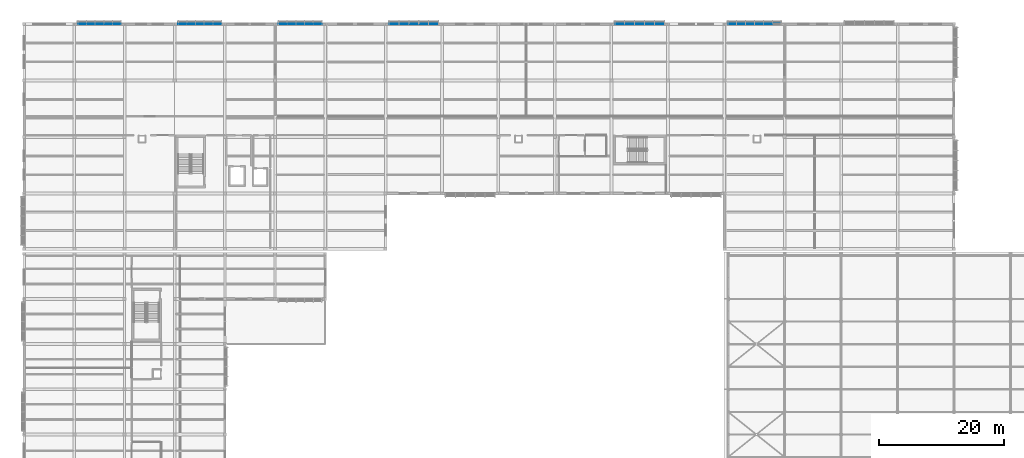
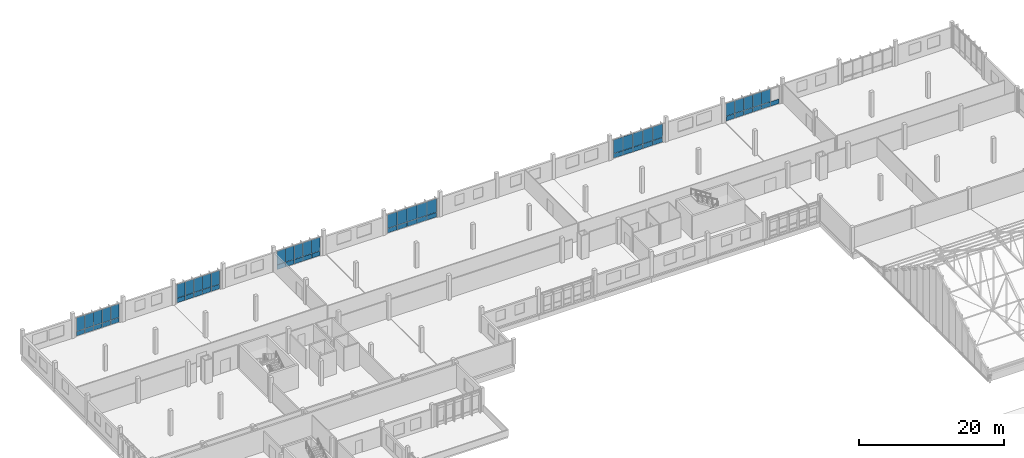
# One storey, part 156 of 182: 61 plates, 6 elements without a shape of their own.
"""IFC4 building model written with IfcOpenShell, lengths in metres."""

from ifc_helpers import new_model, si_unit, direction, frame, origin, origin_2d, place, context, subcontext, project, spatial, rectangle, extrude, material, layer, layer_set, type_object, element, aggregate, save


model = new_model("IFC4")

# Units and contexts
model_context = context("Model", 3, precision=1e-05, world=origin(), true_north=direction((0.0, 1.0)))
body_context = subcontext(model_context, "Body", "Model", "MODEL_VIEW")
ifc_project = project(units=[si_unit("LENGTHUNIT", "METRE"), si_unit("AREAUNIT", "SQUARE_METRE"), si_unit("VOLUMEUNIT", "CUBIC_METRE"), si_unit("PLANEANGLEUNIT", "RADIAN"), si_unit("MASSUNIT", "GRAM", prefix="KILO")], contexts=[model_context])

# Site, building, storey
site_placement = place(None, origin())
site = spatial("IfcSite", under=ifc_project, at=site_placement, CompositionType="ELEMENT")
building_placement = place(site_placement, origin())
building = spatial("IfcBuilding", under=site, at=building_placement, Name="Chiffa Square Polytechnic", CompositionType="ELEMENT")
storey_placement = place(building_placement, frame((0.0, 0.0, 9.60009765625)))
storey = spatial("IfcBuildingStorey", under=building, at=storey_placement, Name="L02", CompositionType="ELEMENT", Elevation=9.60009765625)

# Curtain wall, plates
ifc_material_1 = material(Name="Aluminium EN AW-6060 T66 and glulam shading", Category="wood")
curtain_wall_type_1 = type_object("IfcCurtainWallType", Name="CW-VERT-480X380", PredefinedType="USERDEFINED", material=ifc_material_1)
curtain_wall_1_placement = place(storey_placement, origin())
curtain_wall_1 = element("IfcCurtainWall", 1, at=curtain_wall_1_placement, inside=storey, type_object=curtain_wall_type_1, Name="Curtain wall CW-V5-L02-222", ObjectType="CURTAIN WALL", PredefinedType="USERDEFINED")
ifc_material_2 = material(Name="Double glazing", Category="glass")
ifc_layer_1 = layer(ifc_material_2, 0.035888671875, Name="Double glazing")
ifc_layer_set_1 = layer_set([ifc_layer_1], Name="Double glazing")
plate_type_1 = type_object("IfcPlateType", Name="CWP-GLZ-120X145", PredefinedType="CURTAIN_PANEL", material=ifc_layer_set_1)
plate_1_placement = place(storey_placement, frame((30.757080078125, 130.800048828125, 0.83935546875), z_axis=(0.0, 0.0, 1.0), x_axis=(-1.0, 0.0, 0.0)))
plate_1 = element("IfcPlate", 2, at=plate_1_placement, type_object=plate_type_1, Name="Glazed curtain panel CW-V5-L02-222-PN01", PredefinedType="CURTAIN_PANEL", context=body_context, shape_type="SweptSolid", body=[
    extrude(rectangle(XDim=1.31005859375, YDim=0.035888671875, at=origin_2d()), origin(), (0.0, 0.0, 1.0), 2.284912109375),
])
plate_2_placement = place(storey_placement, frame((29.384033203125, 130.800048828125, 0.83935546875), z_axis=(0.0, 0.0, 1.0), x_axis=(-1.0, 0.0, 0.0)))
plate_2 = element("IfcPlate", 3, at=plate_2_placement, type_object=plate_type_1, Name="Glazed curtain panel CW-V5-L02-222-PN02", PredefinedType="CURTAIN_PANEL", context=body_context, shape_type="SweptSolid", body=[
    extrude(rectangle(XDim=1.33203125, YDim=0.035888671875, at=origin_2d()), origin(), (0.0, 0.0, 1.0), 2.284912109375),
])
plate_3_placement = place(storey_placement, frame((28.0, 130.800048828125, 0.83935546875), z_axis=(0.0, 0.0, 1.0), x_axis=(-1.0, 0.0, 0.0)))
plate_3 = element("IfcPlate", 4, at=plate_3_placement, type_object=plate_type_1, Name="Glazed curtain panel CW-V5-L02-222-PN03", PredefinedType="CURTAIN_PANEL", context=body_context, shape_type="SweptSolid", body=[
    extrude(rectangle(XDim=1.33203125, YDim=0.035888671875, at=origin_2d()), origin(), (0.0, 0.0, 1.0), 2.284912109375),
])
plate_4_placement = place(storey_placement, frame((26.615966796875, 130.800048828125, 0.83935546875), z_axis=(0.0, 0.0, 1.0), x_axis=(-1.0, 0.0, 0.0)))
plate_4 = element("IfcPlate", 5, at=plate_4_placement, type_object=plate_type_1, Name="Glazed curtain panel CW-V5-L02-222-PN04", PredefinedType="CURTAIN_PANEL", context=body_context, shape_type="SweptSolid", body=[
    extrude(rectangle(XDim=1.33203125, YDim=0.035888671875, at=origin_2d()), origin(), (0.0, 0.0, 1.0), 2.284912109375),
])
plate_5_placement = place(storey_placement, frame((25.242919921875, 130.800048828125, 0.83935546875), z_axis=(0.0, 0.0, 1.0), x_axis=(-1.0, 0.0, 0.0)))
plate_5 = element("IfcPlate", 6, at=plate_5_placement, type_object=plate_type_1, Name="Glazed curtain panel CW-V5-L02-222-PN05", PredefinedType="CURTAIN_PANEL", context=body_context, shape_type="SweptSolid", body=[
    extrude(rectangle(XDim=1.31005859375, YDim=0.035888671875, at=origin_2d()), origin(), (0.0, 0.0, 1.0), 2.284912109375),
])

curtain_wall_type_2 = type_object("IfcCurtainWallType", Name="CW-VERT-300X380", PredefinedType="USERDEFINED", material=ifc_material_1)
curtain_wall_2_placement = place(storey_placement, origin())
curtain_wall_2 = element("IfcCurtainWall", 7, at=curtain_wall_2_placement, inside=storey, type_object=curtain_wall_type_2, Name="Curtain wall CW-V5-L02-219", ObjectType="CURTAIN WALL", PredefinedType="USERDEFINED")
ifc_layer_2 = layer(ifc_material_2, 0.0458984375, Name="Double glazing")
ifc_layer_set_2 = layer_set([ifc_layer_2], Name="Double glazing")
plate_type_2 = type_object("IfcPlateType", Name="CWP-GLZ-128X106", PredefinedType="CURTAIN_PANEL", material=ifc_layer_set_2)
plate_6_placement = place(storey_placement, frame((101.257080078125, 130.800048828125, 0.83935546875), z_axis=(0.0, 0.0, 1.0), x_axis=(-1.0, 0.0, 0.0)))
plate_6 = element("IfcPlate", 8, at=plate_6_placement, type_object=plate_type_2, Name="Glazed curtain panel CW-V5-L02-219-PN01", PredefinedType="CURTAIN_PANEL", context=body_context, shape_type="SweptSolid", body=[
    extrude(rectangle(XDim=1.510009765625, YDim=0.0458984375, at=origin_2d()), origin(), (0.0, 0.0, 1.0), 2.284912109375),
])
plate_7_placement = place(storey_placement, frame((99.68408203125, 130.800048828125, 0.83935546875), z_axis=(0.0, 0.0, 1.0), x_axis=(-1.0, 0.0, 0.0)))
plate_7 = element("IfcPlate", 9, at=plate_7_placement, type_object=plate_type_2, Name="Glazed curtain panel CW-V5-L02-219-PN02", PredefinedType="CURTAIN_PANEL", context=body_context, shape_type="SweptSolid", body=[
    extrude(rectangle(XDim=1.531982421875, YDim=0.0458984375, at=origin_2d()), origin(), (0.0, 0.0, 1.0), 2.284912109375),
])
plate_8_placement = place(storey_placement, frame((98.10009765625, 130.800048828125, 0.83935546875), z_axis=(0.0, 0.0, 1.0), x_axis=(-1.0, 0.0, 0.0)))
plate_8 = element("IfcPlate", 10, at=plate_8_placement, type_object=plate_type_2, Name="Glazed curtain panel CW-V5-L02-219-PN03", PredefinedType="CURTAIN_PANEL", context=body_context, shape_type="SweptSolid", body=[
    extrude(rectangle(XDim=1.531982421875, YDim=0.0458984375, at=origin_2d()), origin(), (0.0, 0.0, 1.0), 2.284912109375),
])
plate_9_placement = place(storey_placement, frame((96.51611328125, 130.800048828125, 0.83935546875), z_axis=(0.0, 0.0, 1.0), x_axis=(-1.0, 0.0, 0.0)))
plate_9 = element("IfcPlate", 11, at=plate_9_placement, type_object=plate_type_2, Name="Glazed curtain panel CW-V5-L02-219-PN04", PredefinedType="CURTAIN_PANEL", context=body_context, shape_type="SweptSolid", body=[
    extrude(rectangle(XDim=1.531982421875, YDim=0.0458984375, at=origin_2d()), origin(), (0.0, 0.0, 1.0), 2.284912109375),
])
plate_10_placement = place(storey_placement, frame((94.943115234375, 130.800048828125, 0.83935546875), z_axis=(0.0, 0.0, 1.0), x_axis=(-1.0, 0.0, 0.0)))
plate_10 = element("IfcPlate", 12, at=plate_10_placement, type_object=plate_type_2, Name="Glazed curtain panel CW-V5-L02-219-PN05", PredefinedType="CURTAIN_PANEL", context=body_context, shape_type="SweptSolid", body=[
    extrude(rectangle(XDim=1.510009765625, YDim=0.0458984375, at=origin_2d()), origin(), (0.0, 0.0, 1.0), 2.284912109375),
])

curtain_wall_type_3 = type_object("IfcCurtainWallType", Name="CW-VERT-450X380", PredefinedType="USERDEFINED", material=ifc_material_1)
curtain_wall_3_placement = place(storey_placement, origin())
curtain_wall_3 = element("IfcCurtainWall", 13, at=curtain_wall_3_placement, inside=storey, type_object=curtain_wall_type_3, Name="Curtain wall CW-V5-L02-218", ObjectType="CURTAIN WALL", PredefinedType="USERDEFINED")
ifc_layer_3 = layer(ifc_material_2, 0.0458984375, Name="Double glazing")
ifc_layer_set_3 = layer_set([ifc_layer_3], Name="Double glazing")
plate_type_3 = type_object("IfcPlateType", Name="CWP-GLZ-130X110", PredefinedType="CURTAIN_PANEL", material=ifc_layer_set_3)
plate_11_placement = place(storey_placement, frame((118.530029296875, 130.800048828125, 0.84033203125), z_axis=(0.0, 0.0, 1.0), x_axis=(-1.0, 0.0, 0.0)))
plate_11 = element("IfcPlate", 14, at=plate_11_placement, type_object=plate_type_3, Name="Glazed curtain panel CW-V5-L02-218-PN02", PredefinedType="CURTAIN_PANEL", context=body_context, shape_type="SweptSolid", body=[
    extrude(rectangle(XDim=1.367919921875, YDim=0.0458984375, at=origin_2d()), origin(), (0.0, 0.0, 1.0), 2.135009765625),
])
plate_12_placement = place(storey_placement, frame((117.110107421875, 130.800048828125, 0.84033203125), z_axis=(0.0, 0.0, 1.0), x_axis=(-1.0, 0.0, 0.0)))
plate_12 = element("IfcPlate", 15, at=plate_12_placement, type_object=plate_type_3, Name="Glazed curtain panel CW-V5-L02-218-PN03", PredefinedType="CURTAIN_PANEL", context=body_context, shape_type="SweptSolid", body=[
    extrude(rectangle(XDim=1.367919921875, YDim=0.0458984375, at=origin_2d()), origin(), (0.0, 0.0, 1.0), 2.135009765625),
])
plate_13_placement = place(storey_placement, frame((115.68994140625, 130.800048828125, 0.84033203125), z_axis=(0.0, 0.0, 1.0), x_axis=(-1.0, 0.0, 0.0)))
plate_13 = element("IfcPlate", 16, at=plate_13_placement, type_object=plate_type_3, Name="Glazed curtain panel CW-V5-L02-218-PN04", PredefinedType="CURTAIN_PANEL", context=body_context, shape_type="SweptSolid", body=[
    extrude(rectangle(XDim=1.367919921875, YDim=0.0458984375, at=origin_2d()), origin(), (0.0, 0.0, 1.0), 2.135009765625),
])
plate_14_placement = place(storey_placement, frame((114.27001953125, 130.800048828125, 0.84033203125), z_axis=(0.0, 0.0, 1.0), x_axis=(-1.0, 0.0, 0.0)))
plate_14 = element("IfcPlate", 17, at=plate_14_placement, type_object=plate_type_3, Name="Glazed curtain panel CW-V5-L02-218-PN05", PredefinedType="CURTAIN_PANEL", context=body_context, shape_type="SweptSolid", body=[
    extrude(rectangle(XDim=1.367919921875, YDim=0.0458984375, at=origin_2d()), origin(), (0.0, 0.0, 1.0), 2.135009765625),
])
plate_15_placement = place(storey_placement, frame((112.861083984375, 130.800048828125, 0.84033203125), z_axis=(0.0, 0.0, 1.0), x_axis=(-1.0, 0.0, 0.0)))
plate_15 = element("IfcPlate", 18, at=plate_15_placement, type_object=plate_type_3, Name="Glazed curtain panel CW-V5-L02-218-PN06", PredefinedType="CURTAIN_PANEL", context=body_context, shape_type="SweptSolid", body=[
    extrude(rectangle(XDim=1.345947265625, YDim=0.0458984375, at=origin_2d()), origin(), (0.0, 0.0, 1.0), 2.135009765625),
])

curtain_wall_type_4 = type_object("IfcCurtainWallType", Name="CW-VERT-360X380", PredefinedType="USERDEFINED", material=ifc_material_1)
curtain_wall_4_placement = place(storey_placement, origin())
curtain_wall_4 = element("IfcCurtainWall", 19, at=curtain_wall_4_placement, inside=storey, type_object=curtain_wall_type_4, Name="Curtain wall CW-V5-L02-221", ObjectType="CURTAIN WALL", PredefinedType="USERDEFINED")
ifc_layer_4 = layer(ifc_material_2, 0.035888671875, Name="Double glazing")
ifc_layer_set_4 = layer_set([ifc_layer_4], Name="Double glazing")
plate_type_4 = type_object("IfcPlateType", Name="CWP-GLZ-150X125", PredefinedType="CURTAIN_PANEL", material=ifc_layer_set_4)
plate_16_placement = place(storey_placement, frame((46.757080078125, 130.800048828125, 0.83935546875), z_axis=(0.0, 0.0, 1.0), x_axis=(-1.0, 0.0, 0.0)))
plate_16 = element("IfcPlate", 20, at=plate_16_placement, type_object=plate_type_4, Name="Glazed curtain panel CW-V5-L02-221-PN01", PredefinedType="CURTAIN_PANEL", context=body_context, shape_type="SweptSolid", body=[
    extrude(rectangle(XDim=1.31005859375, YDim=0.035888671875, at=origin_2d()), origin(), (0.0, 0.0, 1.0), 2.284912109375),
])
plate_17_placement = place(storey_placement, frame((45.384033203125, 130.800048828125, 0.83935546875), z_axis=(0.0, 0.0, 1.0), x_axis=(-1.0, 0.0, 0.0)))
plate_17 = element("IfcPlate", 21, at=plate_17_placement, type_object=plate_type_4, Name="Glazed curtain panel CW-V5-L02-221-PN02", PredefinedType="CURTAIN_PANEL", context=body_context, shape_type="SweptSolid", body=[
    extrude(rectangle(XDim=1.33203125, YDim=0.035888671875, at=origin_2d()), origin(), (0.0, 0.0, 1.0), 2.284912109375),
])
plate_18_placement = place(storey_placement, frame((44.0, 130.800048828125, 0.83935546875), z_axis=(0.0, 0.0, 1.0), x_axis=(-1.0, 0.0, 0.0)))
plate_18 = element("IfcPlate", 22, at=plate_18_placement, type_object=plate_type_4, Name="Glazed curtain panel CW-V5-L02-221-PN03", PredefinedType="CURTAIN_PANEL", context=body_context, shape_type="SweptSolid", body=[
    extrude(rectangle(XDim=1.33203125, YDim=0.035888671875, at=origin_2d()), origin(), (0.0, 0.0, 1.0), 2.284912109375),
])
plate_19_placement = place(storey_placement, frame((42.615966796875, 130.800048828125, 0.83935546875), z_axis=(0.0, 0.0, 1.0), x_axis=(-1.0, 0.0, 0.0)))
plate_19 = element("IfcPlate", 23, at=plate_19_placement, type_object=plate_type_4, Name="Glazed curtain panel CW-V5-L02-221-PN04", PredefinedType="CURTAIN_PANEL", context=body_context, shape_type="SweptSolid", body=[
    extrude(rectangle(XDim=1.33203125, YDim=0.035888671875, at=origin_2d()), origin(), (0.0, 0.0, 1.0), 2.284912109375),
])
plate_20_placement = place(storey_placement, frame((41.242919921875, 130.800048828125, 0.83935546875), z_axis=(0.0, 0.0, 1.0), x_axis=(-1.0, 0.0, 0.0)))
plate_20 = element("IfcPlate", 24, at=plate_20_placement, type_object=plate_type_4, Name="Glazed curtain panel CW-V5-L02-221-PN05", PredefinedType="CURTAIN_PANEL", context=body_context, shape_type="SweptSolid", body=[
    extrude(rectangle(XDim=1.31005859375, YDim=0.035888671875, at=origin_2d()), origin(), (0.0, 0.0, 1.0), 2.284912109375),
])

curtain_wall_type_5 = type_object("IfcCurtainWallType", Name="CW-VERT-600X380", PredefinedType="USERDEFINED", material=ifc_material_1)
curtain_wall_5_placement = place(storey_placement, origin())
curtain_wall_5 = element("IfcCurtainWall", 25, at=curtain_wall_5_placement, inside=storey, type_object=curtain_wall_type_5, Name="Curtain wall CW-V5-L02-220", ObjectType="CURTAIN WALL", PredefinedType="USERDEFINED")
ifc_layer_5 = layer(ifc_material_2, 0.035888671875, Name="Double glazing")
ifc_layer_set_5 = layer_set([ifc_layer_5], Name="Double glazing")
plate_type_5 = type_object("IfcPlateType", Name="CWP-GLZ-150X145", PredefinedType="CURTAIN_PANEL", material=ifc_layer_set_5)
plate_21_placement = place(storey_placement, frame((65.257080078125, 130.800048828125, 0.83935546875), z_axis=(0.0, 0.0, 1.0), x_axis=(-1.0, 0.0, 0.0)))
plate_21 = element("IfcPlate", 26, at=plate_21_placement, type_object=plate_type_5, Name="Glazed curtain panel CW-V5-L02-220-PN01", PredefinedType="CURTAIN_PANEL", context=body_context, shape_type="SweptSolid", body=[
    extrude(rectangle(XDim=1.510009765625, YDim=0.035888671875, at=origin_2d()), origin(), (0.0, 0.0, 1.0), 2.284912109375),
])
plate_22_placement = place(storey_placement, frame((63.68408203125, 130.800048828125, 0.83935546875), z_axis=(0.0, 0.0, 1.0), x_axis=(-1.0, 0.0, 0.0)))
plate_22 = element("IfcPlate", 27, at=plate_22_placement, type_object=plate_type_5, Name="Glazed curtain panel CW-V5-L02-220-PN02", PredefinedType="CURTAIN_PANEL", context=body_context, shape_type="SweptSolid", body=[
    extrude(rectangle(XDim=1.531982421875, YDim=0.035888671875, at=origin_2d()), origin(), (0.0, 0.0, 1.0), 2.284912109375),
])
plate_23_placement = place(storey_placement, frame((62.10009765625, 130.800048828125, 0.83935546875), z_axis=(0.0, 0.0, 1.0), x_axis=(-1.0, 0.0, 0.0)))
plate_23 = element("IfcPlate", 28, at=plate_23_placement, type_object=plate_type_5, Name="Glazed curtain panel CW-V5-L02-220-PN03", PredefinedType="CURTAIN_PANEL", context=body_context, shape_type="SweptSolid", body=[
    extrude(rectangle(XDim=1.531982421875, YDim=0.035888671875, at=origin_2d()), origin(), (0.0, 0.0, 1.0), 2.284912109375),
])
plate_24_placement = place(storey_placement, frame((60.51611328125, 130.800048828125, 0.83935546875), z_axis=(0.0, 0.0, 1.0), x_axis=(-1.0, 0.0, 0.0)))
plate_24 = element("IfcPlate", 29, at=plate_24_placement, type_object=plate_type_5, Name="Glazed curtain panel CW-V5-L02-220-PN04", PredefinedType="CURTAIN_PANEL", context=body_context, shape_type="SweptSolid", body=[
    extrude(rectangle(XDim=1.531982421875, YDim=0.035888671875, at=origin_2d()), origin(), (0.0, 0.0, 1.0), 2.284912109375),
])
plate_25_placement = place(storey_placement, frame((58.943115234375, 130.800048828125, 0.83935546875), z_axis=(0.0, 0.0, 1.0), x_axis=(-1.0, 0.0, 0.0)))
plate_25 = element("IfcPlate", 30, at=plate_25_placement, type_object=plate_type_5, Name="Glazed curtain panel CW-V5-L02-220-PN05", PredefinedType="CURTAIN_PANEL", context=body_context, shape_type="SweptSolid", body=[
    extrude(rectangle(XDim=1.510009765625, YDim=0.035888671875, at=origin_2d()), origin(), (0.0, 0.0, 1.0), 2.284912109375),
])

curtain_wall_type_6 = type_object("IfcCurtainWallType", Name="CW-VERT-540X440", PredefinedType="USERDEFINED", material=ifc_material_1)
curtain_wall_6_placement = place(storey_placement, origin())
curtain_wall_6 = element("IfcCurtainWall", 31, at=curtain_wall_6_placement, inside=storey, type_object=curtain_wall_type_6, Name="Curtain wall CW-V5-L02-223", ObjectType="CURTAIN WALL", PredefinedType="USERDEFINED")
ifc_layer_6 = layer(ifc_material_2, 0.035888671875, Name="Double glazing")
ifc_layer_set_6 = layer_set([ifc_layer_6], Name="Double glazing")
plate_type_6 = type_object("IfcPlateType", Name="CWP-GLZ-180X140", PredefinedType="CURTAIN_PANEL", material=ifc_layer_set_6)
plate_26_placement = place(storey_placement, frame((14.757080078125, 130.800048828125, 0.83935546875), z_axis=(0.0, 0.0, 1.0), x_axis=(-1.0, 0.0, 0.0)))
plate_26 = element("IfcPlate", 32, at=plate_26_placement, type_object=plate_type_6, Name="Glazed curtain panel CW-V5-L02-223-PN01", PredefinedType="CURTAIN_PANEL", context=body_context, shape_type="SweptSolid", body=[
    extrude(rectangle(XDim=1.31005859375, YDim=0.035888671875, at=origin_2d()), origin(), (0.0, 0.0, 1.0), 2.284912109375),
])
plate_27_placement = place(storey_placement, frame((13.384033203125, 130.800048828125, 0.83935546875), z_axis=(0.0, 0.0, 1.0), x_axis=(-1.0, 0.0, 0.0)))
plate_27 = element("IfcPlate", 33, at=plate_27_placement, type_object=plate_type_6, Name="Glazed curtain panel CW-V5-L02-223-PN02", PredefinedType="CURTAIN_PANEL", context=body_context, shape_type="SweptSolid", body=[
    extrude(rectangle(XDim=1.33203125, YDim=0.035888671875, at=origin_2d()), origin(), (0.0, 0.0, 1.0), 2.284912109375),
])
plate_28_placement = place(storey_placement, frame((12.0, 130.800048828125, 0.83935546875), z_axis=(0.0, 0.0, 1.0), x_axis=(-1.0, 0.0, 0.0)))
plate_28 = element("IfcPlate", 34, at=plate_28_placement, type_object=plate_type_6, Name="Glazed curtain panel CW-V5-L02-223-PN03", PredefinedType="CURTAIN_PANEL", context=body_context, shape_type="SweptSolid", body=[
    extrude(rectangle(XDim=1.33203125, YDim=0.035888671875, at=origin_2d()), origin(), (0.0, 0.0, 1.0), 2.284912109375),
])
plate_29_placement = place(storey_placement, frame((10.615966796875, 130.800048828125, 0.83935546875), z_axis=(0.0, 0.0, 1.0), x_axis=(-1.0, 0.0, 0.0)))
plate_29 = element("IfcPlate", 35, at=plate_29_placement, type_object=plate_type_6, Name="Glazed curtain panel CW-V5-L02-223-PN04", PredefinedType="CURTAIN_PANEL", context=body_context, shape_type="SweptSolid", body=[
    extrude(rectangle(XDim=1.33203125, YDim=0.035888671875, at=origin_2d()), origin(), (0.0, 0.0, 1.0), 2.284912109375),
])
plate_30_placement = place(storey_placement, frame((9.242919921875, 130.800048828125, 0.83935546875), z_axis=(0.0, 0.0, 1.0), x_axis=(-1.0, 0.0, 0.0)))
plate_30 = element("IfcPlate", 36, at=plate_30_placement, type_object=plate_type_6, Name="Glazed curtain panel CW-V5-L02-223-PN05", PredefinedType="CURTAIN_PANEL", context=body_context, shape_type="SweptSolid", body=[
    extrude(rectangle(XDim=1.31005859375, YDim=0.035888671875, at=origin_2d()), origin(), (0.0, 0.0, 1.0), 2.284912109375),
])

# Plate
ifc_material_3 = material(Name="Aluminium insulated spandrel", Category="aluminium")
ifc_layer_7 = layer(ifc_material_3, 0.072021484375, Name="Aluminium insulated spandrel")
ifc_layer_set_7 = layer_set([ifc_layer_7], Name="Aluminium insulated spandrel")
plate_type_7 = type_object("IfcPlateType", Name="CWP-SPN-136X072", PredefinedType="SHEET", material=ifc_layer_set_7)
plate_31_placement = place(storey_placement, frame((46.757080078125, 130.800048828125, 0.0498046875), z_axis=(0.0, 0.0, 1.0), x_axis=(-1.0, 0.0, 0.0)))
plate_31 = element("IfcPlate", 37, at=plate_31_placement, type_object=plate_type_7, Name="Spandrel panel CW-V5-L02-221-SP01", PredefinedType="SHEET", context=body_context, shape_type="SweptSolid", body=[
    extrude(rectangle(XDim=1.31005859375, YDim=0.072021484375, at=origin_2d()), origin(), (0.0, 0.0, 1.0), 0.75),
])

plate_32_placement = place(storey_placement, frame((45.384033203125, 130.800048828125, 0.0498046875), z_axis=(0.0, 0.0, 1.0), x_axis=(-1.0, 0.0, 0.0)))
plate_32 = element("IfcPlate", 38, at=plate_32_placement, type_object=plate_type_7, Name="Spandrel panel CW-V5-L02-221-SP02", PredefinedType="SHEET", context=body_context, shape_type="SweptSolid", body=[
    extrude(rectangle(XDim=1.33203125, YDim=0.072021484375, at=origin_2d()), origin(), (0.0, 0.0, 1.0), 0.75),
])

plate_33_placement = place(storey_placement, frame((44.0, 130.800048828125, 0.0498046875), z_axis=(0.0, 0.0, 1.0), x_axis=(-1.0, 0.0, 0.0)))
plate_33 = element("IfcPlate", 39, at=plate_33_placement, type_object=plate_type_7, Name="Spandrel panel CW-V5-L02-221-SP03", PredefinedType="SHEET", context=body_context, shape_type="SweptSolid", body=[
    extrude(rectangle(XDim=1.33203125, YDim=0.072021484375, at=origin_2d()), origin(), (0.0, 0.0, 1.0), 0.75),
])

plate_34_placement = place(storey_placement, frame((42.615966796875, 130.800048828125, 0.0498046875), z_axis=(0.0, 0.0, 1.0), x_axis=(-1.0, 0.0, 0.0)))
plate_34 = element("IfcPlate", 40, at=plate_34_placement, type_object=plate_type_7, Name="Spandrel panel CW-V5-L02-221-SP04", PredefinedType="SHEET", context=body_context, shape_type="SweptSolid", body=[
    extrude(rectangle(XDim=1.33203125, YDim=0.072021484375, at=origin_2d()), origin(), (0.0, 0.0, 1.0), 0.75),
])

plate_35_placement = place(storey_placement, frame((41.242919921875, 130.800048828125, 0.0498046875), z_axis=(0.0, 0.0, 1.0), x_axis=(-1.0, 0.0, 0.0)))
plate_35 = element("IfcPlate", 41, at=plate_35_placement, type_object=plate_type_7, Name="Spandrel panel CW-V5-L02-221-SP05", PredefinedType="SHEET", context=body_context, shape_type="SweptSolid", body=[
    extrude(rectangle(XDim=1.31005859375, YDim=0.072021484375, at=origin_2d()), origin(), (0.0, 0.0, 1.0), 0.75),
])

aggregate(curtain_wall_4, [plate_31, plate_16, plate_32, plate_17, plate_33, plate_18, plate_34, plate_19, plate_35, plate_20])

ifc_layer_8 = layer(ifc_material_3, 0.070068359375, Name="Aluminium insulated spandrel")
ifc_layer_set_8 = layer_set([ifc_layer_8], Name="Aluminium insulated spandrel")
plate_type_8 = type_object("IfcPlateType", Name="CWP-SPN-138X074", PredefinedType="SHEET", material=ifc_layer_set_8)
plate_36_placement = place(storey_placement, frame((65.257080078125, 130.800048828125, 0.0498046875), z_axis=(0.0, 0.0, 1.0), x_axis=(-1.0, 0.0, 0.0)))
plate_36 = element("IfcPlate", 42, at=plate_36_placement, type_object=plate_type_8, Name="Spandrel panel CW-V5-L02-220-SP01", PredefinedType="SHEET", context=body_context, shape_type="SweptSolid", body=[
    extrude(rectangle(XDim=1.510009765625, YDim=0.070068359375, at=origin_2d()), origin(), (0.0, 0.0, 1.0), 0.75),
])

plate_37_placement = place(storey_placement, frame((63.68408203125, 130.800048828125, 0.0498046875), z_axis=(0.0, 0.0, 1.0), x_axis=(-1.0, 0.0, 0.0)))
plate_37 = element("IfcPlate", 43, at=plate_37_placement, type_object=plate_type_8, Name="Spandrel panel CW-V5-L02-220-SP02", PredefinedType="SHEET", context=body_context, shape_type="SweptSolid", body=[
    extrude(rectangle(XDim=1.531982421875, YDim=0.070068359375, at=origin_2d()), origin(), (0.0, 0.0, 1.0), 0.75),
])

plate_38_placement = place(storey_placement, frame((62.10009765625, 130.800048828125, 0.0498046875), z_axis=(0.0, 0.0, 1.0), x_axis=(-1.0, 0.0, 0.0)))
plate_38 = element("IfcPlate", 44, at=plate_38_placement, type_object=plate_type_8, Name="Spandrel panel CW-V5-L02-220-SP03", PredefinedType="SHEET", context=body_context, shape_type="SweptSolid", body=[
    extrude(rectangle(XDim=1.531982421875, YDim=0.070068359375, at=origin_2d()), origin(), (0.0, 0.0, 1.0), 0.75),
])

plate_39_placement = place(storey_placement, frame((60.51611328125, 130.800048828125, 0.0498046875), z_axis=(0.0, 0.0, 1.0), x_axis=(-1.0, 0.0, 0.0)))
plate_39 = element("IfcPlate", 45, at=plate_39_placement, type_object=plate_type_8, Name="Spandrel panel CW-V5-L02-220-SP04", PredefinedType="SHEET", context=body_context, shape_type="SweptSolid", body=[
    extrude(rectangle(XDim=1.531982421875, YDim=0.070068359375, at=origin_2d()), origin(), (0.0, 0.0, 1.0), 0.75),
])

plate_40_placement = place(storey_placement, frame((58.943115234375, 130.800048828125, 0.0498046875), z_axis=(0.0, 0.0, 1.0), x_axis=(-1.0, 0.0, 0.0)))
plate_40 = element("IfcPlate", 46, at=plate_40_placement, type_object=plate_type_8, Name="Spandrel panel CW-V5-L02-220-SP05", PredefinedType="SHEET", context=body_context, shape_type="SweptSolid", body=[
    extrude(rectangle(XDim=1.510009765625, YDim=0.070068359375, at=origin_2d()), origin(), (0.0, 0.0, 1.0), 0.75),
])

aggregate(curtain_wall_5, [plate_36, plate_21, plate_37, plate_22, plate_38, plate_23, plate_39, plate_24, plate_40, plate_25])

ifc_layer_9 = layer(ifc_material_3, 0.068115234375, Name="Aluminium insulated spandrel")
ifc_layer_set_9 = layer_set([ifc_layer_9], Name="Aluminium insulated spandrel")
plate_type_9 = type_object("IfcPlateType", Name="CWP-SPN-140X076", PredefinedType="SHEET", material=ifc_layer_set_9)
plate_41_placement = place(storey_placement, frame((101.257080078125, 130.800048828125, 0.0498046875), z_axis=(0.0, 0.0, 1.0), x_axis=(-1.0, 0.0, 0.0)))
plate_41 = element("IfcPlate", 47, at=plate_41_placement, type_object=plate_type_9, Name="Spandrel panel CW-V5-L02-219-SP01", PredefinedType="SHEET", context=body_context, shape_type="SweptSolid", body=[
    extrude(rectangle(XDim=1.510009765625, YDim=0.068115234375, at=origin_2d()), origin(), (0.0, 0.0, 1.0), 0.75),
])

plate_42_placement = place(storey_placement, frame((99.68408203125, 130.800048828125, 0.0498046875), z_axis=(0.0, 0.0, 1.0), x_axis=(-1.0, 0.0, 0.0)))
plate_42 = element("IfcPlate", 48, at=plate_42_placement, type_object=plate_type_9, Name="Spandrel panel CW-V5-L02-219-SP02", PredefinedType="SHEET", context=body_context, shape_type="SweptSolid", body=[
    extrude(rectangle(XDim=1.531982421875, YDim=0.068115234375, at=origin_2d()), origin(), (0.0, 0.0, 1.0), 0.75),
])

plate_43_placement = place(storey_placement, frame((98.10009765625, 130.800048828125, 0.0498046875), z_axis=(0.0, 0.0, 1.0), x_axis=(-1.0, 0.0, 0.0)))
plate_43 = element("IfcPlate", 49, at=plate_43_placement, type_object=plate_type_9, Name="Spandrel panel CW-V5-L02-219-SP03", PredefinedType="SHEET", context=body_context, shape_type="SweptSolid", body=[
    extrude(rectangle(XDim=1.531982421875, YDim=0.068115234375, at=origin_2d()), origin(), (0.0, 0.0, 1.0), 0.75),
])

plate_44_placement = place(storey_placement, frame((96.51611328125, 130.800048828125, 0.0498046875), z_axis=(0.0, 0.0, 1.0), x_axis=(-1.0, 0.0, 0.0)))
plate_44 = element("IfcPlate", 50, at=plate_44_placement, type_object=plate_type_9, Name="Spandrel panel CW-V5-L02-219-SP04", PredefinedType="SHEET", context=body_context, shape_type="SweptSolid", body=[
    extrude(rectangle(XDim=1.531982421875, YDim=0.068115234375, at=origin_2d()), origin(), (0.0, 0.0, 1.0), 0.75),
])

plate_45_placement = place(storey_placement, frame((94.943115234375, 130.800048828125, 0.0498046875), z_axis=(0.0, 0.0, 1.0), x_axis=(-1.0, 0.0, 0.0)))
plate_45 = element("IfcPlate", 51, at=plate_45_placement, type_object=plate_type_9, Name="Spandrel panel CW-V5-L02-219-SP05", PredefinedType="SHEET", context=body_context, shape_type="SweptSolid", body=[
    extrude(rectangle(XDim=1.510009765625, YDim=0.068115234375, at=origin_2d()), origin(), (0.0, 0.0, 1.0), 0.75),
])

aggregate(curtain_wall_2, [plate_41, plate_6, plate_42, plate_7, plate_43, plate_8, plate_44, plate_9, plate_45, plate_10])

ifc_layer_10 = layer(ifc_material_3, 0.06591796875, Name="Aluminium insulated spandrel")
ifc_layer_set_10 = layer_set([ifc_layer_10], Name="Aluminium insulated spandrel")
plate_type_10 = type_object("IfcPlateType", Name="CWP-SPN-144X078", PredefinedType="SHEET", material=ifc_layer_set_10)
plate_46_placement = place(storey_placement, frame((119.93896484375, 130.800048828125, 0.0498046875), z_axis=(0.0, 0.0, 1.0), x_axis=(-1.0, 0.0, 0.0)))
plate_46 = element("IfcPlate", 52, at=plate_46_placement, type_object=plate_type_10, Name="Spandrel panel CW-V5-L02-218-SP01", PredefinedType="SHEET", context=body_context, shape_type="SweptSolid", body=[
    extrude(rectangle(XDim=1.345947265625, YDim=0.06591796875, at=origin_2d()), origin(), (0.0, 0.0, 1.0), 0.75),
])

plate_47_placement = place(storey_placement, frame((118.530029296875, 130.800048828125, 0.0498046875), z_axis=(0.0, 0.0, 1.0), x_axis=(-1.0, 0.0, 0.0)))
plate_47 = element("IfcPlate", 53, at=plate_47_placement, type_object=plate_type_10, Name="Spandrel panel CW-V5-L02-218-SP02", PredefinedType="SHEET", context=body_context, shape_type="SweptSolid", body=[
    extrude(rectangle(XDim=1.367919921875, YDim=0.06591796875, at=origin_2d()), origin(), (0.0, 0.0, 1.0), 0.75),
])

plate_48_placement = place(storey_placement, frame((117.110107421875, 130.800048828125, 0.0498046875), z_axis=(0.0, 0.0, 1.0), x_axis=(-1.0, 0.0, 0.0)))
plate_48 = element("IfcPlate", 54, at=plate_48_placement, type_object=plate_type_10, Name="Spandrel panel CW-V5-L02-218-SP03", PredefinedType="SHEET", context=body_context, shape_type="SweptSolid", body=[
    extrude(rectangle(XDim=1.367919921875, YDim=0.06591796875, at=origin_2d()), origin(), (0.0, 0.0, 1.0), 0.75),
])

plate_49_placement = place(storey_placement, frame((115.68994140625, 130.800048828125, 0.0498046875), z_axis=(0.0, 0.0, 1.0), x_axis=(-1.0, 0.0, 0.0)))
plate_49 = element("IfcPlate", 55, at=plate_49_placement, type_object=plate_type_10, Name="Spandrel panel CW-V5-L02-218-SP04", PredefinedType="SHEET", context=body_context, shape_type="SweptSolid", body=[
    extrude(rectangle(XDim=1.367919921875, YDim=0.06591796875, at=origin_2d()), origin(), (0.0, 0.0, 1.0), 0.75),
])

plate_50_placement = place(storey_placement, frame((114.27001953125, 130.800048828125, 0.0498046875), z_axis=(0.0, 0.0, 1.0), x_axis=(-1.0, 0.0, 0.0)))
plate_50 = element("IfcPlate", 56, at=plate_50_placement, type_object=plate_type_10, Name="Spandrel panel CW-V5-L02-218-SP05", PredefinedType="SHEET", context=body_context, shape_type="SweptSolid", body=[
    extrude(rectangle(XDim=1.367919921875, YDim=0.06591796875, at=origin_2d()), origin(), (0.0, 0.0, 1.0), 0.75),
])

plate_51_placement = place(storey_placement, frame((112.861083984375, 130.800048828125, 0.0498046875), z_axis=(0.0, 0.0, 1.0), x_axis=(-1.0, 0.0, 0.0)))
plate_51 = element("IfcPlate", 57, at=plate_51_placement, type_object=plate_type_10, Name="Spandrel panel CW-V5-L02-218-SP06", PredefinedType="SHEET", context=body_context, shape_type="SweptSolid", body=[
    extrude(rectangle(XDim=1.345947265625, YDim=0.06591796875, at=origin_2d()), origin(), (0.0, 0.0, 1.0), 0.75),
])

aggregate(curtain_wall_3, [plate_46, plate_47, plate_11, plate_48, plate_12, plate_49, plate_13, plate_50, plate_14, plate_51, plate_15])

ifc_layer_11 = layer(ifc_material_3, 0.06005859375, Name="Aluminium insulated spandrel")
ifc_layer_set_11 = layer_set([ifc_layer_11], Name="Aluminium insulated spandrel")
plate_type_11 = type_object("IfcPlateType", Name="CWP-SPN-150X080", PredefinedType="SHEET", material=ifc_layer_set_11)
plate_52_placement = place(storey_placement, frame((14.757080078125, 130.800048828125, 0.0498046875), z_axis=(0.0, 0.0, 1.0), x_axis=(-1.0, 0.0, 0.0)))
plate_52 = element("IfcPlate", 58, at=plate_52_placement, type_object=plate_type_11, Name="Spandrel panel CW-V5-L02-223-SP01", PredefinedType="SHEET", context=body_context, shape_type="SweptSolid", body=[
    extrude(rectangle(XDim=1.31005859375, YDim=0.06005859375, at=origin_2d()), origin(), (0.0, 0.0, 1.0), 0.75),
])

plate_53_placement = place(storey_placement, frame((13.384033203125, 130.800048828125, 0.0498046875), z_axis=(0.0, 0.0, 1.0), x_axis=(-1.0, 0.0, 0.0)))
plate_53 = element("IfcPlate", 59, at=plate_53_placement, type_object=plate_type_11, Name="Spandrel panel CW-V5-L02-223-SP02", PredefinedType="SHEET", context=body_context, shape_type="SweptSolid", body=[
    extrude(rectangle(XDim=1.33203125, YDim=0.06005859375, at=origin_2d()), origin(), (0.0, 0.0, 1.0), 0.75),
])

plate_54_placement = place(storey_placement, frame((12.0, 130.800048828125, 0.0498046875), z_axis=(0.0, 0.0, 1.0), x_axis=(-1.0, 0.0, 0.0)))
plate_54 = element("IfcPlate", 60, at=plate_54_placement, type_object=plate_type_11, Name="Spandrel panel CW-V5-L02-223-SP03", PredefinedType="SHEET", context=body_context, shape_type="SweptSolid", body=[
    extrude(rectangle(XDim=1.33203125, YDim=0.06005859375, at=origin_2d()), origin(), (0.0, 0.0, 1.0), 0.75),
])

plate_55_placement = place(storey_placement, frame((10.615966796875, 130.800048828125, 0.0498046875), z_axis=(0.0, 0.0, 1.0), x_axis=(-1.0, 0.0, 0.0)))
plate_55 = element("IfcPlate", 61, at=plate_55_placement, type_object=plate_type_11, Name="Spandrel panel CW-V5-L02-223-SP04", PredefinedType="SHEET", context=body_context, shape_type="SweptSolid", body=[
    extrude(rectangle(XDim=1.33203125, YDim=0.06005859375, at=origin_2d()), origin(), (0.0, 0.0, 1.0), 0.75),
])

plate_56_placement = place(storey_placement, frame((9.242919921875, 130.800048828125, 0.0498046875), z_axis=(0.0, 0.0, 1.0), x_axis=(-1.0, 0.0, 0.0)))
plate_56 = element("IfcPlate", 62, at=plate_56_placement, type_object=plate_type_11, Name="Spandrel panel CW-V5-L02-223-SP05", PredefinedType="SHEET", context=body_context, shape_type="SweptSolid", body=[
    extrude(rectangle(XDim=1.31005859375, YDim=0.06005859375, at=origin_2d()), origin(), (0.0, 0.0, 1.0), 0.75),
])

aggregate(curtain_wall_6, [plate_52, plate_26, plate_53, plate_27, plate_54, plate_28, plate_55, plate_29, plate_56, plate_30])

ifc_layer_12 = layer(ifc_material_3, 0.06005859375, Name="Aluminium insulated spandrel")
ifc_layer_set_12 = layer_set([ifc_layer_12], Name="Aluminium insulated spandrel")
plate_type_12 = type_object("IfcPlateType", Name="CWP-SPN-150X095", PredefinedType="SHEET", material=ifc_layer_set_12)
plate_57_placement = place(storey_placement, frame((30.757080078125, 130.800048828125, 0.0498046875), z_axis=(0.0, 0.0, 1.0), x_axis=(-1.0, 0.0, 0.0)))
plate_57 = element("IfcPlate", 63, at=plate_57_placement, type_object=plate_type_12, Name="Spandrel panel CW-V5-L02-222-SP01", PredefinedType="SHEET", context=body_context, shape_type="SweptSolid", body=[
    extrude(rectangle(XDim=1.31005859375, YDim=0.06005859375, at=origin_2d()), origin(), (0.0, 0.0, 1.0), 0.75),
])

plate_58_placement = place(storey_placement, frame((29.384033203125, 130.800048828125, 0.0498046875), z_axis=(0.0, 0.0, 1.0), x_axis=(-1.0, 0.0, 0.0)))
plate_58 = element("IfcPlate", 64, at=plate_58_placement, type_object=plate_type_12, Name="Spandrel panel CW-V5-L02-222-SP02", PredefinedType="SHEET", context=body_context, shape_type="SweptSolid", body=[
    extrude(rectangle(XDim=1.33203125, YDim=0.06005859375, at=origin_2d()), origin(), (0.0, 0.0, 1.0), 0.75),
])

plate_59_placement = place(storey_placement, frame((28.0, 130.800048828125, 0.0498046875), z_axis=(0.0, 0.0, 1.0), x_axis=(-1.0, 0.0, 0.0)))
plate_59 = element("IfcPlate", 65, at=plate_59_placement, type_object=plate_type_12, Name="Spandrel panel CW-V5-L02-222-SP03", PredefinedType="SHEET", context=body_context, shape_type="SweptSolid", body=[
    extrude(rectangle(XDim=1.33203125, YDim=0.06005859375, at=origin_2d()), origin(), (0.0, 0.0, 1.0), 0.75),
])

plate_60_placement = place(storey_placement, frame((26.615966796875, 130.800048828125, 0.0498046875), z_axis=(0.0, 0.0, 1.0), x_axis=(-1.0, 0.0, 0.0)))
plate_60 = element("IfcPlate", 66, at=plate_60_placement, type_object=plate_type_12, Name="Spandrel panel CW-V5-L02-222-SP04", PredefinedType="SHEET", context=body_context, shape_type="SweptSolid", body=[
    extrude(rectangle(XDim=1.33203125, YDim=0.06005859375, at=origin_2d()), origin(), (0.0, 0.0, 1.0), 0.75),
])

plate_61_placement = place(storey_placement, frame((25.242919921875, 130.800048828125, 0.0498046875), z_axis=(0.0, 0.0, 1.0), x_axis=(-1.0, 0.0, 0.0)))
plate_61 = element("IfcPlate", 67, at=plate_61_placement, type_object=plate_type_12, Name="Spandrel panel CW-V5-L02-222-SP05", PredefinedType="SHEET", context=body_context, shape_type="SweptSolid", body=[
    extrude(rectangle(XDim=1.31005859375, YDim=0.06005859375, at=origin_2d()), origin(), (0.0, 0.0, 1.0), 0.75),
])

aggregate(curtain_wall_1, [plate_57, plate_1, plate_58, plate_2, plate_59, plate_3, plate_60, plate_4, plate_61, plate_5])

save(model, "model.ifc")
